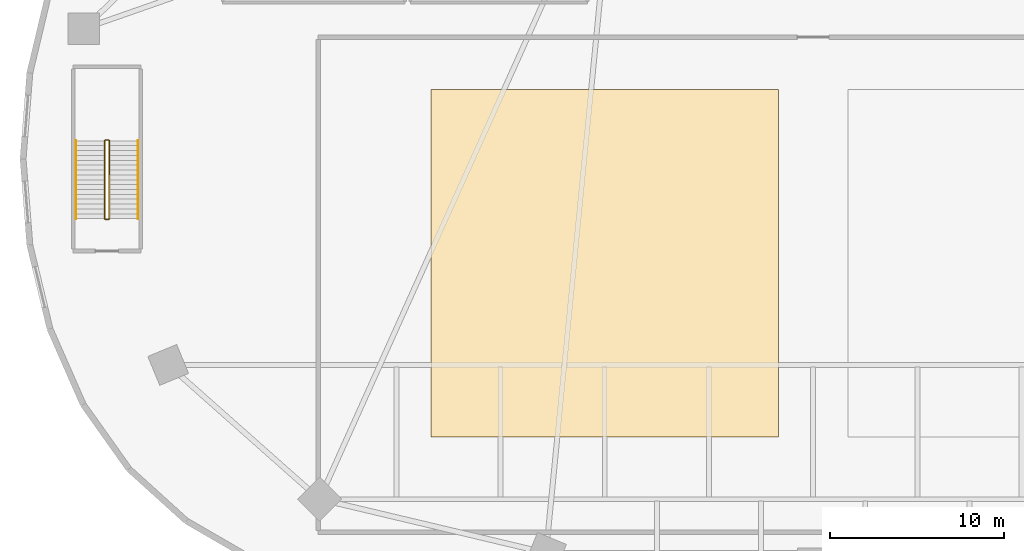
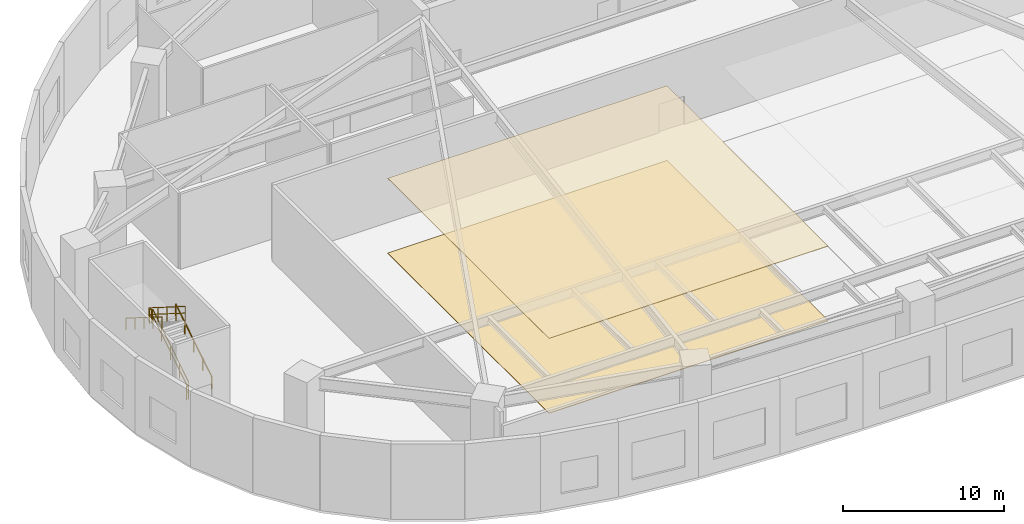
# One storey, part 7 of 10: 6 railings, 2 coverings.
"""IFC4 building model written with IfcOpenShell, lengths in metres."""

from ifc_helpers import new_model, si_unit, direction, frame, origin, origin_2d, place, context, subcontext, project, spatial, polyline, rectangle, outline, extrude, material, layer, layer_set, type_object, element, save


model = new_model("IFC4")

# Units and contexts
model_context = context("Model", 3, precision=1e-05, world=origin(), true_north=direction((0.0, 1.0)))
body_context = subcontext(model_context, "Body", "Model", "MODEL_VIEW")
ifc_project = project(units=[si_unit("LENGTHUNIT", "METRE"), si_unit("AREAUNIT", "SQUARE_METRE"), si_unit("VOLUMEUNIT", "CUBIC_METRE"), si_unit("PLANEANGLEUNIT", "RADIAN"), si_unit("MASSUNIT", "GRAM", prefix="KILO")], contexts=[model_context])

# Site, building, storey
site_placement = place(None, origin())
site = spatial("IfcSite", under=ifc_project, at=site_placement, CompositionType="ELEMENT")
building_placement = place(site_placement, origin())
building = spatial("IfcBuilding", under=site, at=building_placement, Name="Breltana Convention Tower", CompositionType="ELEMENT")
storey_placement = place(building_placement, frame((0.0, 0.0, 12.0)))
storey = spatial("IfcBuildingStorey", under=building, at=storey_placement, Name="L02", CompositionType="ELEMENT", Elevation=12.0)

# Coverings
ifc_material_1 = material(Name="Gypsum Micro-Perforated Acoustic Ceiling")
ifc_layer_1 = layer(ifc_material_1, 0.044921875, Name="Gypsum Micro-Perforated Acoustic Ceiling")
ifc_layer_set_1 = layer_set([ifc_layer_1], Name="Gypsum Micro-Perforated Acoustic Ceiling")
covering_type_1 = type_object("IfcCoveringType", Name="COV-CEIL-ACOUSTIC-45", PredefinedType="CEILING", material=ifc_layer_set_1)
covering_1_placement = place(storey_placement, frame((0.0, 0.0, 5.655029296875)))
element("IfcCovering", 1, at=covering_1_placement, inside=storey, type_object=covering_type_1, Name="L02 hall acoustic ceiling 4", PredefinedType="CEILING", context=body_context, shape_type="SweptSolid", body=[
    extrude(outline(polyline([(26.0, 26.0), (46.0, 26.0), (46.0, 46.0), (26.0, 46.0), (26.0, 26.0)])), origin(), (0.0, 0.0, 1.0), 0.044921875),
])
ifc_material_2 = material(Name="Warm Buff Limestone Terrazzo Flooring", Category="masonry")
ifc_layer_2 = layer(ifc_material_2, 0.034912109375, Name="Warm Buff Limestone Terrazzo Flooring")
ifc_layer_set_2 = layer_set([ifc_layer_2], Name="Warm Buff Limestone Terrazzo Flooring")
covering_type_2 = type_object("IfcCoveringType", Name="COV-FLOOR-TERRAZZO-35", PredefinedType="FLOORING", material=ifc_layer_set_2)
covering_2_placement = place(storey_placement, origin())
element("IfcCovering", 2, at=covering_2_placement, inside=storey, type_object=covering_type_2, Name="L02 hall limestone terrazzo flooring 4", PredefinedType="FLOORING", context=body_context, shape_type="SweptSolid", body=[
    extrude(outline(polyline([(26.0, 26.0), (46.0, 26.0), (46.0, 46.0), (26.0, 46.0), (26.0, 26.0)])), origin(), (0.0, 0.0, 1.0), 0.034912109375),
])

# Railings
ifc_material_3 = material(Name="Steel S275 Painted", Category="steel")
railing_type_1 = type_object("IfcRailingType", Name="RL-STAIR-GUARD-1100", PredefinedType="GUARDRAIL", material=ifc_material_3)
railing_1_placement = place(storey_placement, frame((7.4599609375, 38.56005859375, 0.176513671875)))
element("IfcRailing", 3, at=railing_1_placement, inside=storey, type_object=railing_type_1, Name="L02 ST-3 stair guard 1", PredefinedType="GUARDRAIL", context=body_context, shape_type="SweptSolid", body=[
    extrude(rectangle(XDim=0.048095703125, YDim=0.048095703125, at=origin_2d()), frame((0.0, 0.0, 1.076171875), z_axis=(0.0, 0.845997938375, 0.533186166611), x_axis=(-1.0, 0.0, 0.0)), (0.0, 0.0, 1.0), 5.29541015625),
    extrude(rectangle(XDim=0.048095703125, YDim=0.048095703125, at=origin_2d()), frame((0.0, 0.0, 0.572021484375), z_axis=(0.0, 0.845997938375, 0.533186166611), x_axis=(-1.0, 0.0, 0.0)), (0.0, 0.0, 1.0), 5.29541015625),
    extrude(rectangle(XDim=0.0419921875, YDim=0.0419921875, at=origin_2d()), origin(), (0.0, 0.0, 1.0), 1.052001953125),
    extrude(rectangle(XDim=0.0419921875, YDim=0.0419921875, at=origin_2d()), frame((0.0, 1.1201171875, 0.705810546875)), (0.0, 0.0, 1.0), 1.052001953125),
    extrude(rectangle(XDim=0.0419921875, YDim=0.0419921875, at=origin_2d()), frame((0.0, 2.239990234375, 1.41162109375)), (0.0, 0.0, 1.0), 1.052001953125),
    extrude(rectangle(XDim=0.0419921875, YDim=0.0419921875, at=origin_2d()), frame((0.0, 3.35986328125, 2.11767578125)), (0.0, 0.0, 1.0), 1.052001953125),
    extrude(rectangle(XDim=0.0419921875, YDim=0.0419921875, at=origin_2d()), frame((0.0, 4.47998046875, 2.823486328125)), (0.0, 0.0, 1.0), 1.052001953125),
])
railing_2_placement = place(storey_placement, frame((7.409912109375, 43.090087890625, 3.0)))
element("IfcRailing", 4, at=railing_2_placement, inside=storey, type_object=railing_type_1, Name="L02 ST-3 stair guard 2", PredefinedType="GUARDRAIL", context=body_context, shape_type="SweptSolid", body=[
    extrude(rectangle(XDim=0.048095703125, YDim=0.048095703125, at=origin_2d()), frame((0.0, 0.0, 1.076171875), z_axis=(-1.0, 0.0, 0.0), x_axis=(0.0, -1.0, 0.0)), (0.0, 0.0, 1.0), 0.14990234375),
    extrude(rectangle(XDim=0.048095703125, YDim=0.048095703125, at=origin_2d()), frame((0.0, 0.0, 0.572021484375), z_axis=(-1.0, 0.0, 0.0), x_axis=(0.0, -1.0, 0.0)), (0.0, 0.0, 1.0), 0.14990234375),
    extrude(rectangle(XDim=0.0419921875, YDim=0.0419921875, at=origin_2d()), origin(), (0.0, 0.0, 1.0), 1.052001953125),
    extrude(rectangle(XDim=0.0419921875, YDim=0.0419921875, at=origin_2d()), frame((-0.14990234375, 0.0, 0.0)), (0.0, 0.0, 1.0), 1.052001953125),
])
railing_3_placement = place(storey_placement, frame((7.2099609375, 43.0400390625, 3.176513671875)))
element("IfcRailing", 5, at=railing_3_placement, inside=storey, type_object=railing_type_1, Name="L02 ST-3 stair guard 3", PredefinedType="GUARDRAIL", context=body_context, shape_type="SweptSolid", body=[
    extrude(rectangle(XDim=0.048095703125, YDim=0.048095703125, at=origin_2d()), frame((0.0, 0.0, 1.076171875), z_axis=(0.0, -0.845997938375, 0.533186166611), x_axis=(1.0, 0.0, 0.0)), (0.0, 0.0, 1.0), 5.29541015625),
    extrude(rectangle(XDim=0.048095703125, YDim=0.048095703125, at=origin_2d()), frame((0.0, 0.0, 0.572021484375), z_axis=(0.0, -0.845997938375, 0.533186166611), x_axis=(1.0, 0.0, 0.0)), (0.0, 0.0, 1.0), 5.29541015625),
    extrude(rectangle(XDim=0.0419921875, YDim=0.0419921875, at=origin_2d()), origin(), (0.0, 0.0, 1.0), 1.052001953125),
    extrude(rectangle(XDim=0.0419921875, YDim=0.0419921875, at=origin_2d()), frame((0.0, -1.1201171875, 0.705810546875)), (0.0, 0.0, 1.0), 1.052001953125),
    extrude(rectangle(XDim=0.0419921875, YDim=0.0419921875, at=origin_2d()), frame((0.0, -2.239990234375, 1.41162109375)), (0.0, 0.0, 1.0), 1.052001953125),
    extrude(rectangle(XDim=0.0419921875, YDim=0.0419921875, at=origin_2d()), frame((0.0, -3.35986328125, 2.11767578125)), (0.0, 0.0, 1.0), 1.052001953125),
    extrude(rectangle(XDim=0.0419921875, YDim=0.0419921875, at=origin_2d()), frame((0.0, -4.47998046875, 2.823486328125)), (0.0, 0.0, 1.0), 1.052001953125),
])
railing_4_placement = place(storey_placement, frame((7.409912109375, 38.510009765625, 0.0)))
element("IfcRailing", 6, at=railing_4_placement, inside=storey, type_object=railing_type_1, Name="L02 ST-3 stair guard 4", PredefinedType="GUARDRAIL", context=body_context, shape_type="SweptSolid", body=[
    extrude(rectangle(XDim=0.048095703125, YDim=0.048095703125, at=origin_2d()), frame((0.0, 0.0, 1.076171875), z_axis=(-1.0, 0.0, 0.0), x_axis=(0.0, -1.0, 0.0)), (0.0, 0.0, 1.0), 0.14990234375),
    extrude(rectangle(XDim=0.048095703125, YDim=0.048095703125, at=origin_2d()), frame((0.0, 0.0, 0.572021484375), z_axis=(-1.0, 0.0, 0.0), x_axis=(0.0, -1.0, 0.0)), (0.0, 0.0, 1.0), 0.14990234375),
    extrude(rectangle(XDim=0.0419921875, YDim=0.0419921875, at=origin_2d()), origin(), (0.0, 0.0, 1.0), 1.052001953125),
    extrude(rectangle(XDim=0.0419921875, YDim=0.0419921875, at=origin_2d()), frame((-0.14990234375, 0.0, 0.0)), (0.0, 0.0, 1.0), 1.052001953125),
])
ifc_material_4 = material(Name="Stainless Steel 316L", Category="steel")
railing_type_2 = type_object("IfcRailingType", Name="RL-STAIR-HANDRAIL-900", PredefinedType="HANDRAIL", material=ifc_material_4)
railing_5_placement = place(storey_placement, frame((9.1201171875, 38.56005859375, 0.176513671875)))
element("IfcRailing", 7, at=railing_5_placement, inside=storey, type_object=railing_type_2, Name="L02 ST-3 stair handrail 1", PredefinedType="HANDRAIL", context=body_context, shape_type="SweptSolid", body=[
    extrude(rectangle(XDim=0.048095703125, YDim=0.048095703125, at=origin_2d()), frame((0.0, 0.0, 0.8759765625), z_axis=(0.0, 0.845997938375, 0.533186166611), x_axis=(-1.0, 0.0, 0.0)), (0.0, 0.0, 1.0), 5.29541015625),
    extrude(rectangle(XDim=0.0419921875, YDim=0.0419921875, at=origin_2d()), origin(), (0.0, 0.0, 1.0), 0.851806640625),
    extrude(rectangle(XDim=0.0419921875, YDim=0.0419921875, at=origin_2d()), frame((0.0, 1.1201171875, 0.705810546875)), (0.0, 0.0, 1.0), 0.851806640625),
    extrude(rectangle(XDim=0.0419921875, YDim=0.0419921875, at=origin_2d()), frame((0.0, 2.239990234375, 1.41162109375)), (0.0, 0.0, 1.0), 0.851806640625),
    extrude(rectangle(XDim=0.0419921875, YDim=0.0419921875, at=origin_2d()), frame((0.0, 3.35986328125, 2.11767578125)), (0.0, 0.0, 1.0), 0.851806640625),
    extrude(rectangle(XDim=0.0419921875, YDim=0.0419921875, at=origin_2d()), frame((0.0, 4.47998046875, 2.823486328125)), (0.0, 0.0, 1.0), 0.851806640625),
])
railing_6_placement = place(storey_placement, frame((5.550048828125, 43.0400390625, 3.176513671875)))
element("IfcRailing", 8, at=railing_6_placement, inside=storey, type_object=railing_type_2, Name="L02 ST-3 stair handrail 2", PredefinedType="HANDRAIL", context=body_context, shape_type="SweptSolid", body=[
    extrude(rectangle(XDim=0.048095703125, YDim=0.048095703125, at=origin_2d()), frame((0.0, 0.0, 0.8759765625), z_axis=(0.0, -0.845997938375, 0.533186166611), x_axis=(1.0, 0.0, 0.0)), (0.0, 0.0, 1.0), 5.29541015625),
    extrude(rectangle(XDim=0.0419921875, YDim=0.0419921875, at=origin_2d()), origin(), (0.0, 0.0, 1.0), 0.851806640625),
    extrude(rectangle(XDim=0.0419921875, YDim=0.0419921875, at=origin_2d()), frame((0.0, -1.1201171875, 0.705810546875)), (0.0, 0.0, 1.0), 0.851806640625),
    extrude(rectangle(XDim=0.0419921875, YDim=0.0419921875, at=origin_2d()), frame((0.0, -2.239990234375, 1.41162109375)), (0.0, 0.0, 1.0), 0.851806640625),
    extrude(rectangle(XDim=0.0419921875, YDim=0.0419921875, at=origin_2d()), frame((0.0, -3.35986328125, 2.11767578125)), (0.0, 0.0, 1.0), 0.851806640625),
    extrude(rectangle(XDim=0.0419921875, YDim=0.0419921875, at=origin_2d()), frame((0.0, -4.47998046875, 2.823486328125)), (0.0, 0.0, 1.0), 0.851806640625),
])

save(model, "model.ifc")
